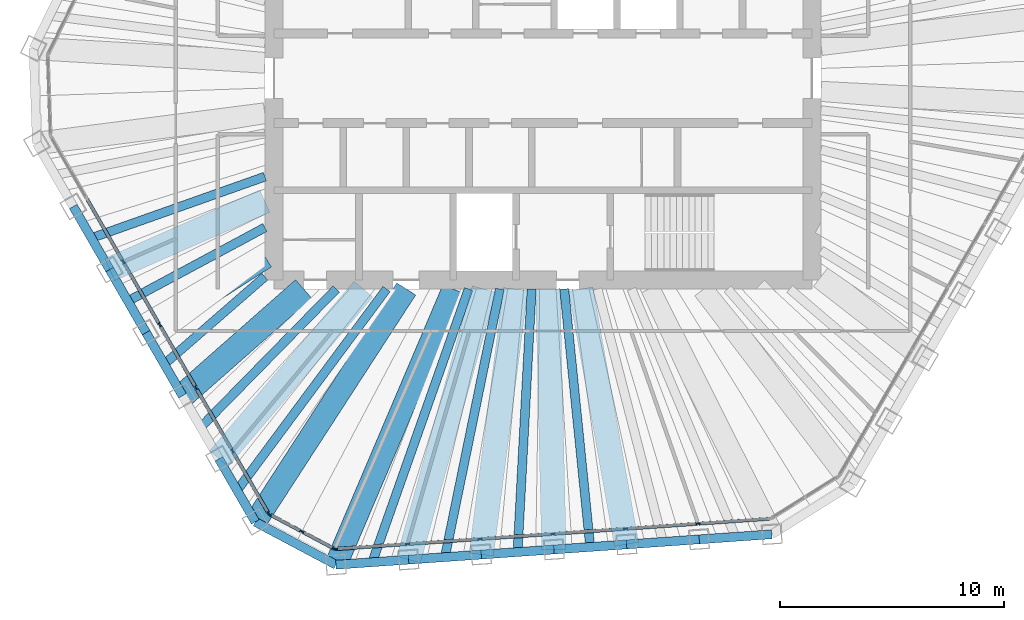
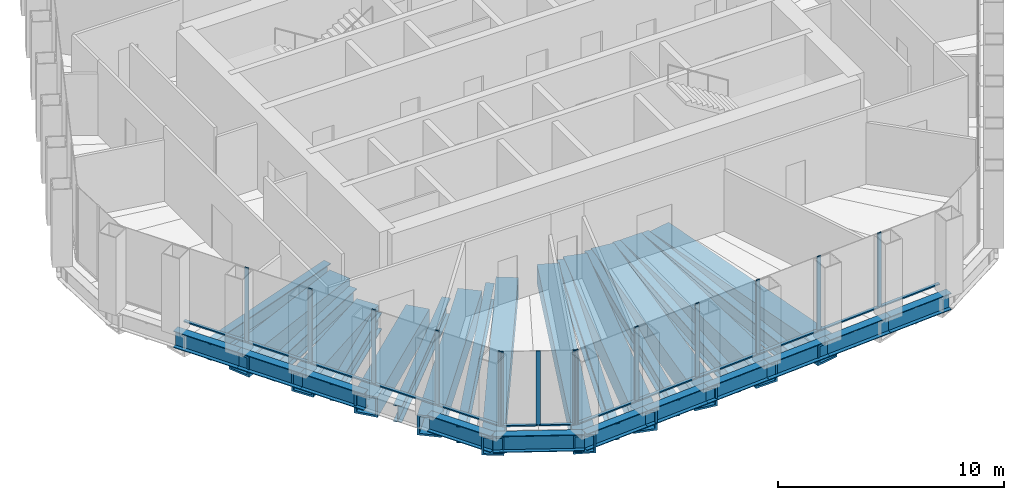
# One storey, part 2 of 14: 30 beams, 27 members, 3 elements without a shape of their own.
"""IFC4 building model written with IfcOpenShell, lengths in metres."""

from ifc_helpers import new_model, si_unit, direction, frame, origin, origin_2d, place, context, subcontext, project, spatial, rectangle, hollow_rectangle, i_section, extrude, material, material_profile, profile_set, type_object, element, aggregate, save


model = new_model("IFC4")

# Units and contexts
model_context = context("Model", 3, precision=1e-05, world=origin(), true_north=direction((0.0, 1.0)))
body_context = subcontext(model_context, "Body", "Model", "MODEL_VIEW")
ifc_project = project(units=[si_unit("LENGTHUNIT", "METRE"), si_unit("AREAUNIT", "SQUARE_METRE"), si_unit("VOLUMEUNIT", "CUBIC_METRE"), si_unit("PLANEANGLEUNIT", "RADIAN"), si_unit("MASSUNIT", "GRAM", prefix="KILO")], contexts=[model_context])

# Site, building, storey
site_placement = place(None, origin())
site = spatial("IfcSite", under=ifc_project, at=site_placement, CompositionType="ELEMENT")
building_placement = place(site_placement, origin())
building = spatial("IfcBuilding", under=site, at=building_placement, Name="Qingtian Harvest Tower", CompositionType="ELEMENT")
storey_placement = place(building_placement, frame((0.0, 0.0, 304.0)))
storey = spatial("IfcBuildingStorey", under=building, at=storey_placement, Name="L67", CompositionType="ELEMENT", Elevation=304.0)

# Beams
ifc_material_1 = material(Name="Steel SN490B", Category="steel")
ifc_material_profile_1 = material_profile(ifc_material_1, i_section(OverallWidth=0.39990234375, OverallDepth=0.89990234375, WebThickness=0.01904296875, FlangeThickness=0.035888671875, at=origin_2d()), Name="H900x400x19x36")
ifc_profile_set_1 = profile_set([ifc_material_profile_1], Name="Steel SN490B")
beam_type_1 = type_object("IfcBeamType", Name="Floor joist J4 H900x400x19x36", PredefinedType="JOIST", material=ifc_profile_set_1)
beam_1_placement = place(storey_placement, frame((2.109130859375, -20.90380859375, -0.6201171875), z_axis=(-0.100381738783, 0.994948996943, 0.0), x_axis=(-0.994948996943, -0.100381738783, 0.0)))
element("IfcBeam", 1, at=beam_1_placement, inside=storey, type_object=beam_type_1, Name="Floor joist J4 S2", PredefinedType="JOIST", context=body_context, shape_type="SweptSolid", body=[
    extrude(i_section(OverallWidth=0.39990234375, OverallDepth=0.89990234375, WebThickness=0.01904296875, FlangeThickness=0.035888671875, at=origin_2d()), origin(), (0.0, 0.0, 1.0), 11.562255859375),
])
beam_2_placement = place(storey_placement, frame((-1.130859375, -21.13037109375, -0.6201171875), z_axis=(0.053432551321, 0.998571460868, 0.0), x_axis=(-0.998571460868, 0.053432551321, 0.0)))
element("IfcBeam", 2, at=beam_2_placement, inside=storey, type_object=beam_type_1, Name="Floor joist J4 S3", PredefinedType="JOIST", context=body_context, shape_type="SweptSolid", body=[
    extrude(i_section(OverallWidth=0.39990234375, OverallDepth=0.89990234375, WebThickness=0.01904296875, FlangeThickness=0.035888671875, at=origin_2d()), origin(), (0.0, 0.0, 1.0), 11.747314453125),
])
beam_3_placement = place(storey_placement, frame((-4.37109375, -21.35693359375, -0.6201171875), z_axis=(0.200514926646, 0.97969064719, 0.0), x_axis=(-0.97969064719, 0.200514926646, 0.0)))
element("IfcBeam", 3, at=beam_3_placement, inside=storey, type_object=beam_type_1, Name="Floor joist J4 S4", PredefinedType="JOIST", context=body_context, shape_type="SweptSolid", body=[
    extrude(i_section(OverallWidth=0.39990234375, OverallDepth=0.89990234375, WebThickness=0.01904296875, FlangeThickness=0.035888671875, at=origin_2d()), origin(), (0.0, 0.0, 1.0), 12.204833984375),
])
beam_4_placement = place(storey_placement, frame((-7.611083984375, -21.58349609375, -0.6201171875), z_axis=(0.332565071267, 0.9430803112, 0.0), x_axis=(-0.9430803112, 0.332565071267, 0.0)))
element("IfcBeam", 4, at=beam_4_placement, inside=storey, type_object=beam_type_1, Name="Floor joist J4 S5", PredefinedType="JOIST", context=body_context, shape_type="SweptSolid", body=[
    extrude(i_section(OverallWidth=0.39990234375, OverallDepth=0.89990234375, WebThickness=0.01904296875, FlangeThickness=0.035888671875, at=origin_2d()), origin(), (0.0, 0.0, 1.0), 12.9189453125),
])
beam_5_placement = place(storey_placement, frame((-13.637451171875, -18.37939453125, -0.6201171875), z_axis=(0.595869637911, 0.803081175608, 0.0), x_axis=(-0.803081175608, 0.595869637911, 0.0)))
element("IfcBeam", 5, at=beam_5_placement, inside=storey, type_object=beam_type_1, Name="Floor joist J4 SW0", PredefinedType="JOIST", context=body_context, shape_type="SweptSolid", body=[
    extrude(i_section(OverallWidth=0.39990234375, OverallDepth=0.89990234375, WebThickness=0.01904296875, FlangeThickness=0.035888671875, at=origin_2d()), origin(), (0.0, 0.0, 1.0), 11.181396484375),
])
beam_6_placement = place(storey_placement, frame((-15.261474609375, -15.56640625, -0.6201171875), z_axis=(0.700075085428, 0.714069236673, 0.0), x_axis=(-0.714069236673, 0.700075085428, 0.0)))
element("IfcBeam", 6, at=beam_6_placement, inside=storey, type_object=beam_type_1, Name="Floor joist J4 SW1", PredefinedType="JOIST", context=body_context, shape_type="SweptSolid", body=[
    extrude(i_section(OverallWidth=0.39990234375, OverallDepth=0.89990234375, WebThickness=0.01904296875, FlangeThickness=0.035888671875, at=origin_2d()), origin(), (0.0, 0.0, 1.0), 8.6357421875),
])
beam_7_placement = place(storey_placement, frame((-16.885498046875, -12.753662109375, -0.6201171875), z_axis=(0.754351783553, 0.656470400437, 0.0), x_axis=(-0.656470400437, 0.754351783553, 0.0)))
element("IfcBeam", 7, at=beam_7_placement, inside=storey, type_object=beam_type_1, Name="Floor joist J4 SW2", PredefinedType="JOIST", context=body_context, shape_type="SweptSolid", body=[
    extrude(i_section(OverallWidth=0.39990234375, OverallDepth=0.89990234375, WebThickness=0.01904296875, FlangeThickness=0.035888671875, at=origin_2d()), origin(), (0.0, 0.0, 1.0), 5.9462890625),
])
beam_8_placement = place(storey_placement, frame((-18.509521484375, -9.940673828125, -0.6201171875), z_axis=(0.880999592364, 0.473117023847, 0.0), x_axis=(-0.473117023847, 0.880999592364, 0.0)))
element("IfcBeam", 8, at=beam_8_placement, inside=storey, type_object=beam_type_1, Name="Floor joist J4 SW3", PredefinedType="JOIST", context=body_context, shape_type="SweptSolid", body=[
    extrude(i_section(OverallWidth=0.39990234375, OverallDepth=0.89990234375, WebThickness=0.01904296875, FlangeThickness=0.035888671875, at=origin_2d()), origin(), (0.0, 0.0, 1.0), 6.934814453125),
])
beam_9_placement = place(storey_placement, frame((-20.133544921875, -7.1279296875, -0.6201171875), z_axis=(0.942664093486, 0.333743025174, 0.0), x_axis=(-0.333743025174, 0.942664093486, 0.0)))
element("IfcBeam", 9, at=beam_9_placement, inside=storey, type_object=beam_type_1, Name="Floor joist J4 SW4", PredefinedType="JOIST", context=body_context, shape_type="SweptSolid", body=[
    extrude(i_section(OverallWidth=0.39990234375, OverallDepth=0.89990234375, WebThickness=0.01904296875, FlangeThickness=0.035888671875, at=origin_2d()), origin(), (0.0, 0.0, 1.0), 8.2041015625),
])

# Curtain wall, members
ifc_material_2 = material(Name="Bronze-anodised aluminium curtain wall", Category="aluminium")
curtain_wall_type = type_object("IfcCurtainWallType", Name="Curtain wall CW5 upper office", PredefinedType="USERDEFINED", material=ifc_material_2)
curtain_wall_1_placement = place(storey_placement, origin())
curtain_wall_1 = element("IfcCurtainWall", 10, at=curtain_wall_1_placement, inside=storey, type_object=curtain_wall_type, Name="Curtain wall CW5 L67 S0-5", ObjectType="RECESSED CURTAIN WALL", PredefinedType="USERDEFINED")
ifc_material_3 = material(Name="Bronze-anodised aluminium mullion", Category="aluminium")
ifc_material_profile_2 = material_profile(ifc_material_3, rectangle(XDim=0.06494140625, YDim=0.199951171875, at=origin_2d()), Name="AL 65x200")
ifc_profile_set_2 = profile_set([ifc_material_profile_2], Name="Bronze-anodised aluminium mullion")
member_type_1 = type_object("IfcMemberType", Name="Mullion CWM 65x200", PredefinedType="MULLION", material=ifc_profile_set_2)
member_1_placement = place(storey_placement, frame((6.92041015625, -19.86572265625, 0.0), z_axis=(0.0, 0.0, 1.0), x_axis=(0.069756473744, -0.99756405026, 0.0)))
member_1 = element("IfcMember", 11, at=member_1_placement, type_object=member_type_1, Name="CW5 mullion 2", PredefinedType="MULLION", context=body_context, shape_type="SweptSolid", body=[
    extrude(rectangle(XDim=0.06494140625, YDim=0.199951171875, at=origin_2d()), origin(), (0.0, 0.0, 1.0), 4.030029296875),
])
member_2_placement = place(storey_placement, frame((3.680419921875, -20.09228515625, 0.0), z_axis=(0.0, 0.0, 1.0), x_axis=(0.069756473744, -0.99756405026, 0.0)))
member_2 = element("IfcMember", 12, at=member_2_placement, type_object=member_type_1, Name="CW5 mullion 3", PredefinedType="MULLION", context=body_context, shape_type="SweptSolid", body=[
    extrude(rectangle(XDim=0.06494140625, YDim=0.199951171875, at=origin_2d()), origin(), (0.0, 0.0, 1.0), 4.030029296875),
])
member_3_placement = place(storey_placement, frame((0.440185546875, -20.31884765625, 0.0), z_axis=(0.0, 0.0, 1.0), x_axis=(0.069756473744, -0.99756405026, 0.0)))
member_3 = element("IfcMember", 13, at=member_3_placement, type_object=member_type_1, Name="CW5 mullion 4", PredefinedType="MULLION", context=body_context, shape_type="SweptSolid", body=[
    extrude(rectangle(XDim=0.06494140625, YDim=0.199951171875, at=origin_2d()), origin(), (0.0, 0.0, 1.0), 4.030029296875),
])
member_4_placement = place(storey_placement, frame((-2.7998046875, -20.54541015625, 0.0), z_axis=(0.0, 0.0, 1.0), x_axis=(0.069756473744, -0.99756405026, 0.0)))
member_4 = element("IfcMember", 14, at=member_4_placement, type_object=member_type_1, Name="CW5 mullion 5", PredefinedType="MULLION", context=body_context, shape_type="SweptSolid", body=[
    extrude(rectangle(XDim=0.06494140625, YDim=0.199951171875, at=origin_2d()), origin(), (0.0, 0.0, 1.0), 4.030029296875),
])
member_5_placement = place(storey_placement, frame((-6.0400390625, -20.77197265625, 0.0), z_axis=(0.0, 0.0, 1.0), x_axis=(0.069756473744, -0.99756405026, 0.0)))
member_5 = element("IfcMember", 15, at=member_5_placement, type_object=member_type_1, Name="CW5 mullion 6", PredefinedType="MULLION", context=body_context, shape_type="SweptSolid", body=[
    extrude(rectangle(XDim=0.06494140625, YDim=0.199951171875, at=origin_2d()), origin(), (0.0, 0.0, 1.0), 4.030029296875),
])
member_6_placement = place(storey_placement, frame((-9.24755859375, -20.996337890625, 0.0), z_axis=(0.0, 0.0, 1.0), x_axis=(0.069756473744, -0.99756405026, 0.0)))
member_6 = element("IfcMember", 16, at=member_6_placement, type_object=member_type_1, Name="CW5 mullion 7", PredefinedType="MULLION", context=body_context, shape_type="SweptSolid", body=[
    extrude(rectangle(XDim=0.06494140625, YDim=0.199951171875, at=origin_2d()), origin(), (0.0, 0.0, 1.0), 4.030029296875),
])

curtain_wall_2_placement = place(storey_placement, origin())
curtain_wall_2 = element("IfcCurtainWall", 17, at=curtain_wall_2_placement, inside=storey, type_object=curtain_wall_type, Name="Curtain wall CW5 L67 SC", ObjectType="RECESSED CURTAIN WALL", PredefinedType="USERDEFINED")
member_7_placement = place(storey_placement, frame((-9.308837890625, -20.983154296875, 0.0), z_axis=(0.0, 0.0, 1.0), x_axis=(-0.469471562786, -0.882947592859, 0.0)))
member_7 = element("IfcMember", 18, at=member_7_placement, type_object=member_type_1, Name="CW5 mullion 1", PredefinedType="MULLION", context=body_context, shape_type="SweptSolid", body=[
    extrude(rectangle(XDim=0.06494140625, YDim=0.199951171875, at=origin_2d()), origin(), (0.0, 0.0, 1.0), 4.030029296875),
])
member_8_placement = place(storey_placement, frame((-10.749755859375, -20.217041015625, 0.0), z_axis=(0.0, 0.0, 1.0), x_axis=(-0.469471562786, -0.882947592859, 0.0)))
member_8 = element("IfcMember", 19, at=member_8_placement, type_object=member_type_1, Name="CW5 mullion 2", PredefinedType="MULLION", context=body_context, shape_type="SweptSolid", body=[
    extrude(rectangle(XDim=0.06494140625, YDim=0.199951171875, at=origin_2d()), origin(), (0.0, 0.0, 1.0), 4.030029296875),
])
member_9_placement = place(storey_placement, frame((-12.1904296875, -19.450927734375, 0.0), z_axis=(0.0, 0.0, 1.0), x_axis=(-0.469471562786, -0.882947592859, 0.0)))
member_9 = element("IfcMember", 20, at=member_9_placement, type_object=member_type_1, Name="CW5 mullion 3", PredefinedType="MULLION", context=body_context, shape_type="SweptSolid", body=[
    extrude(rectangle(XDim=0.06494140625, YDim=0.199951171875, at=origin_2d()), origin(), (0.0, 0.0, 1.0), 4.030029296875),
])

curtain_wall_3_placement = place(storey_placement, origin())
curtain_wall_3 = element("IfcCurtainWall", 21, at=curtain_wall_3_placement, inside=storey, type_object=curtain_wall_type, Name="Curtain wall CW5 L67 SW0-5", ObjectType="RECESSED CURTAIN WALL", PredefinedType="USERDEFINED")
member_10_placement = place(storey_placement, frame((-12.2353515625, -19.40771484375, 0.0), z_axis=(0.0, 0.0, 1.0), x_axis=(-0.866025403784, -0.5, 0.0)))
member_10 = element("IfcMember", 22, at=member_10_placement, type_object=member_type_1, Name="CW5 mullion 1", PredefinedType="MULLION", context=body_context, shape_type="SweptSolid", body=[
    extrude(rectangle(XDim=0.06494140625, YDim=0.199951171875, at=origin_2d()), origin(), (0.0, 0.0, 1.0), 4.030029296875),
])
member_11_placement = place(storey_placement, frame((-13.84326171875, -16.622802734375, 0.0), z_axis=(0.0, 0.0, 1.0), x_axis=(-0.866025403784, -0.5, 0.0)))
member_11 = element("IfcMember", 23, at=member_11_placement, type_object=member_type_1, Name="CW5 mullion 2", PredefinedType="MULLION", context=body_context, shape_type="SweptSolid", body=[
    extrude(rectangle(XDim=0.06494140625, YDim=0.199951171875, at=origin_2d()), origin(), (0.0, 0.0, 1.0), 4.030029296875),
])
member_12_placement = place(storey_placement, frame((-15.46728515625, -13.81005859375, 0.0), z_axis=(0.0, 0.0, 1.0), x_axis=(-0.866025403784, -0.5, 0.0)))
member_12 = element("IfcMember", 24, at=member_12_placement, type_object=member_type_1, Name="CW5 mullion 3", PredefinedType="MULLION", context=body_context, shape_type="SweptSolid", body=[
    extrude(rectangle(XDim=0.06494140625, YDim=0.199951171875, at=origin_2d()), origin(), (0.0, 0.0, 1.0), 4.030029296875),
])
member_13_placement = place(storey_placement, frame((-17.09130859375, -10.9970703125, 0.0), z_axis=(0.0, 0.0, 1.0), x_axis=(-0.866025403784, -0.5, 0.0)))
member_13 = element("IfcMember", 25, at=member_13_placement, type_object=member_type_1, Name="CW5 mullion 4", PredefinedType="MULLION", context=body_context, shape_type="SweptSolid", body=[
    extrude(rectangle(XDim=0.06494140625, YDim=0.199951171875, at=origin_2d()), origin(), (0.0, 0.0, 1.0), 4.030029296875),
])
member_14_placement = place(storey_placement, frame((-18.71533203125, -8.184326171875, 0.0), z_axis=(0.0, 0.0, 1.0), x_axis=(-0.866025403784, -0.5, 0.0)))
member_14 = element("IfcMember", 26, at=member_14_placement, type_object=member_type_1, Name="CW5 mullion 5", PredefinedType="MULLION", context=body_context, shape_type="SweptSolid", body=[
    extrude(rectangle(XDim=0.06494140625, YDim=0.199951171875, at=origin_2d()), origin(), (0.0, 0.0, 1.0), 4.030029296875),
])

# Beams
ifc_material_4 = material(Name="Steel SN490B", Category="steel")
ifc_material_profile_3 = material_profile(ifc_material_4, i_section(OverallWidth=0.39990234375, OverallDepth=0.89990234375, WebThickness=0.01904296875, FlangeThickness=0.035888671875, at=origin_2d()), Name="H900x400x19x36")
ifc_profile_set_3 = profile_set([ifc_material_profile_3], Name="Steel SN490B")
beam_type_2 = type_object("IfcBeamType", Name="Spandrel beam SB4 H900x400x19x36", PredefinedType="SPANDREL", material=ifc_profile_set_3)
beam_10_placement = place(storey_placement, frame((10.20947265625, -20.33740234375, -0.449951171875), z_axis=(-0.9975644093, -0.069751339047, 0.0), x_axis=(0.069751339047, -0.9975644093, 0.0)))
element("IfcBeam", 27, at=beam_10_placement, inside=storey, type_object=beam_type_2, Name="Spandrel SB4 S0", PredefinedType="SPANDREL", context=body_context, shape_type="SweptSolid", body=[
    extrude(i_section(OverallWidth=0.39990234375, OverallDepth=0.89990234375, WebThickness=0.01904296875, FlangeThickness=0.035888671875, at=origin_2d()), origin(), (0.0, 0.0, 1.0), 3.248046875),
])
beam_11_placement = place(storey_placement, frame((6.96923828125, -20.56396484375, -0.449951171875), z_axis=(-0.997564043571, -0.069756569394, 0.0), x_axis=(0.069756569394, -0.997564043571, 0.0)))
element("IfcBeam", 28, at=beam_11_placement, inside=storey, type_object=beam_type_2, Name="Spandrel SB4 S1", PredefinedType="SPANDREL", context=body_context, shape_type="SweptSolid", body=[
    extrude(i_section(OverallWidth=0.39990234375, OverallDepth=0.89990234375, WebThickness=0.01904296875, FlangeThickness=0.035888671875, at=origin_2d()), origin(), (0.0, 0.0, 1.0), 3.247802734375),
])
beam_12_placement = place(storey_placement, frame((3.729248046875, -20.79052734375, -0.449951171875), z_axis=(-0.9975644093, -0.069751339047, 0.0), x_axis=(0.069751339047, -0.9975644093, 0.0)))
element("IfcBeam", 29, at=beam_12_placement, inside=storey, type_object=beam_type_2, Name="Spandrel SB4 S2", PredefinedType="SPANDREL", context=body_context, shape_type="SweptSolid", body=[
    extrude(i_section(OverallWidth=0.39990234375, OverallDepth=0.89990234375, WebThickness=0.01904296875, FlangeThickness=0.035888671875, at=origin_2d()), origin(), (0.0, 0.0, 1.0), 3.248046875),
])
beam_13_placement = place(storey_placement, frame((0.489013671875, -21.01708984375, -0.449951171875), z_axis=(-0.997564043571, -0.069756569394, 0.0), x_axis=(0.069756569394, -0.997564043571, 0.0)))
element("IfcBeam", 30, at=beam_13_placement, inside=storey, type_object=beam_type_2, Name="Spandrel SB4 S3", PredefinedType="SPANDREL", context=body_context, shape_type="SweptSolid", body=[
    extrude(i_section(OverallWidth=0.39990234375, OverallDepth=0.89990234375, WebThickness=0.01904296875, FlangeThickness=0.035888671875, at=origin_2d()), origin(), (0.0, 0.0, 1.0), 3.247802734375),
])
beam_14_placement = place(storey_placement, frame((-2.7509765625, -21.24365234375, -0.449951171875), z_axis=(-0.9975644093, -0.069751339047, 0.0), x_axis=(0.069751339047, -0.9975644093, 0.0)))
element("IfcBeam", 31, at=beam_14_placement, inside=storey, type_object=beam_type_2, Name="Spandrel SB4 S4", PredefinedType="SPANDREL", context=body_context, shape_type="SweptSolid", body=[
    extrude(i_section(OverallWidth=0.39990234375, OverallDepth=0.89990234375, WebThickness=0.01904296875, FlangeThickness=0.035888671875, at=origin_2d()), origin(), (0.0, 0.0, 1.0), 3.248046875),
])
beam_15_placement = place(storey_placement, frame((-5.9912109375, -21.47021484375, -0.449951171875), z_axis=(-0.997564043571, -0.069756569394, 0.0), x_axis=(0.069756569394, -0.997564043571, 0.0)))
element("IfcBeam", 32, at=beam_15_placement, inside=storey, type_object=beam_type_2, Name="Spandrel SB4 S5", PredefinedType="SPANDREL", context=body_context, shape_type="SweptSolid", body=[
    extrude(i_section(OverallWidth=0.39990234375, OverallDepth=0.89990234375, WebThickness=0.01904296875, FlangeThickness=0.035888671875, at=origin_2d()), origin(), (0.0, 0.0, 1.0), 3.247802734375),
])
beam_16_placement = place(storey_placement, frame((-9.231201171875, -21.69677734375, -0.449951171875), z_axis=(-0.882943273379, 0.469479686456, 0.0), x_axis=(-0.469479686456, -0.882943273379, 0.0)))
element("IfcBeam", 33, at=beam_16_placement, inside=storey, type_object=beam_type_2, Name="Spandrel SB4 SC", PredefinedType="SPANDREL", context=body_context, shape_type="SweptSolid", body=[
    extrude(i_section(OverallWidth=0.39990234375, OverallDepth=0.89990234375, WebThickness=0.01904296875, FlangeThickness=0.035888671875, at=origin_2d()), origin(), (0.0, 0.0, 1.0), 4.07080078125),
])
for number, where, z_axis, x_axis, name in (
    (34, (-12.825439453125, -19.78564453125, -0.449951171875), (-0.500019593356, 0.866014091259, 0.0), (-0.866014091259, -0.500019593356, 0.0), "Spandrel SB4 SW0"),
    (35, (-16.073486328125, -14.159912109375, -0.449951171875), (-0.500019593356, 0.866014091259, 0.0), (-0.866014091259, -0.500019593356, 0.0), "Spandrel SB4 SW2"),
):
    element("IfcBeam", number, at=place(storey_placement, frame(where, z_axis=z_axis, x_axis=x_axis)), inside=storey, type_object=beam_type_2, Name=name, PredefinedType="SPANDREL", context=body_context, shape_type="SweptSolid", body=[
        extrude(i_section(OverallWidth=0.39990234375, OverallDepth=0.89990234375, WebThickness=0.01904296875, FlangeThickness=0.035888671875, at=origin_2d()), origin(), (0.0, 0.0, 1.0), 3.247802734375),
    ])
beam_17_placement = place(storey_placement, frame((-17.697509765625, -11.34716796875, -0.449951171875), z_axis=(-0.499987045439, 0.866032882975, 0.0), x_axis=(-0.866032882975, -0.499987045439, 0.0)))
element("IfcBeam", 36, at=beam_17_placement, inside=storey, type_object=beam_type_2, Name="Spandrel SB4 SW3", PredefinedType="SPANDREL", context=body_context, shape_type="SweptSolid", body=[
    extrude(i_section(OverallWidth=0.39990234375, OverallDepth=0.89990234375, WebThickness=0.01904296875, FlangeThickness=0.035888671875, at=origin_2d()), origin(), (0.0, 0.0, 1.0), 3.248046875),
])
beam_18_placement = place(storey_placement, frame((-19.321533203125, -8.5341796875, -0.449951171875), z_axis=(-0.500019593356, 0.866014091259, 0.0), x_axis=(-0.866014091259, -0.500019593356, 0.0)))
element("IfcBeam", 37, at=beam_18_placement, inside=storey, type_object=beam_type_2, Name="Spandrel SB4 SW4", PredefinedType="SPANDREL", context=body_context, shape_type="SweptSolid", body=[
    extrude(i_section(OverallWidth=0.39990234375, OverallDepth=0.89990234375, WebThickness=0.01904296875, FlangeThickness=0.035888671875, at=origin_2d()), origin(), (0.0, 0.0, 1.0), 3.247802734375),
])
ifc_material_5 = material(Name="Steel SM570MC", Category="steel")
ifc_material_profile_4 = material_profile(ifc_material_5, hollow_rectangle(XDim=1.0, YDim=1.0, WallThickness=0.080078125, at=origin_2d()), Name="BOX1000x1000x80")
ifc_profile_set_4 = profile_set([ifc_material_profile_4], Name="Steel SM570MC")
beam_type_3 = type_object("IfcBeamType", Name="Transfer corner beam FB11 BOX1000x1000x80", PredefinedType="BEAM", material=ifc_profile_set_4)
beam_19_placement = place(storey_placement, frame((-9.231201171875, -21.69677734375, -0.669921875), z_axis=(0.391505797179, 0.920175641264, 0.0), x_axis=(-0.920175641264, 0.391505797179, 0.0)))
element("IfcBeam", 38, at=beam_19_placement, inside=storey, type_object=beam_type_3, Name="Floor beam FB11 S6", PredefinedType="BEAM", context=body_context, shape_type="SweptSolid", body=[
    extrude(hollow_rectangle(XDim=1.0, YDim=1.0, WallThickness=0.080078125, at=origin_2d()), origin(), (0.0, 0.0, 1.0), 13.363525390625),
])
beam_20_placement = place(storey_placement, frame((-12.825439453125, -19.78564453125, -0.669921875), z_axis=(0.543934037964, 0.839127977334, 0.0), x_axis=(-0.839127977334, 0.543934037964, 0.0)))
element("IfcBeam", 39, at=beam_20_placement, inside=storey, type_object=beam_type_3, Name="Floor beam FB11 SW0", PredefinedType="BEAM", context=body_context, shape_type="SweptSolid", body=[
    extrude(hollow_rectangle(XDim=1.0, YDim=1.0, WallThickness=0.080078125, at=origin_2d()), origin(), (0.0, 0.0, 1.0), 12.376708984375),
])
ifc_material_6 = material(Name="Steel SM570MC", Category="steel")
ifc_material_profile_5 = material_profile(ifc_material_6, hollow_rectangle(XDim=1.10009765625, YDim=1.10009765625, WallThickness=0.10009765625, at=origin_2d()), Name="BOX1100x1100x100")
ifc_profile_set_5 = profile_set([ifc_material_profile_5], Name="Steel SM570MC")
beam_type_4 = type_object("IfcBeamType", Name="Transfer floor beam FB9 BOX1100x1100x100", PredefinedType="BEAM", material=ifc_profile_set_5)
beam_21_placement = place(storey_placement, frame((3.729248046875, -20.79052734375, -0.719970703125), z_axis=(-0.176558725829, 0.984290107811, 0.0), x_axis=(-0.984290107811, -0.176558725829, 0.0)))
element("IfcBeam", 40, at=beam_21_placement, inside=storey, type_object=beam_type_4, Name="Floor beam FB9 S2", PredefinedType="BEAM", context=body_context, shape_type="SweptSolid", body=[
    extrude(hollow_rectangle(XDim=1.10009765625, YDim=1.10009765625, WallThickness=0.10009765625, at=origin_2d()), origin(), (0.0, 0.0, 1.0), 11.572509765625),
])
beam_22_placement = place(storey_placement, frame((0.489013671875, -21.01708984375, -0.719970703125), z_axis=(-0.023257829451, 0.9997295001, 0.0), x_axis=(-0.9997295001, -0.023257829451, 0.0)))
element("IfcBeam", 41, at=beam_22_placement, inside=storey, type_object=beam_type_4, Name="Floor beam FB9 S3", PredefinedType="BEAM", context=body_context, shape_type="SweptSolid", body=[
    extrude(hollow_rectangle(XDim=1.10009765625, YDim=1.10009765625, WallThickness=0.10009765625, at=origin_2d()), origin(), (0.0, 0.0, 1.0), 11.620361328125),
])
beam_23_placement = place(storey_placement, frame((-2.7509765625, -21.24365234375, -0.719970703125), z_axis=(0.128421483878, 0.991719679385, 0.0), x_axis=(-0.991719679385, 0.128421483878, 0.0)))
element("IfcBeam", 42, at=beam_23_placement, inside=storey, type_object=beam_type_4, Name="Floor beam FB9 S4", PredefinedType="BEAM", context=body_context, shape_type="SweptSolid", body=[
    extrude(hollow_rectangle(XDim=1.10009765625, YDim=1.10009765625, WallThickness=0.10009765625, at=origin_2d()), origin(), (0.0, 0.0, 1.0), 11.942626953125),
])
beam_24_placement = place(storey_placement, frame((-5.9912109375, -21.47021484375, -0.719970703125), z_axis=(0.268777110088, 0.963202400896, 0.0), x_axis=(-0.963202400896, 0.268777110088, 0.0)))
element("IfcBeam", 43, at=beam_24_placement, inside=storey, type_object=beam_type_4, Name="Floor beam FB9 S5", PredefinedType="BEAM", context=body_context, shape_type="SweptSolid", body=[
    extrude(hollow_rectangle(XDim=1.10009765625, YDim=1.10009765625, WallThickness=0.10009765625, at=origin_2d()), origin(), (0.0, 0.0, 1.0), 12.531494140625),
])
beam_25_placement = place(storey_placement, frame((-14.449462890625, -16.972900390625, -0.719970703125), z_axis=(0.648230392117, 0.761444258457, 0.0), x_axis=(-0.761444258457, 0.648230392117, 0.0)))
element("IfcBeam", 44, at=beam_25_placement, inside=storey, type_object=beam_type_4, Name="Floor beam FB9 SW1", PredefinedType="BEAM", context=body_context, shape_type="SweptSolid", body=[
    extrude(hollow_rectangle(XDim=1.10009765625, YDim=1.10009765625, WallThickness=0.10009765625, at=origin_2d()), origin(), (0.0, 0.0, 1.0), 9.945556640625),
])
beam_26_placement = place(storey_placement, frame((-16.073486328125, -14.159912109375, -0.719970703125), z_axis=(0.750362998803, 0.661025997997, 0.0), x_axis=(-0.661025997997, 0.750362998803, 0.0)))
element("IfcBeam", 45, at=beam_26_placement, inside=storey, type_object=beam_type_4, Name="Floor beam FB9 SW2", PredefinedType="BEAM", context=body_context, shape_type="SweptSolid", body=[
    extrude(hollow_rectangle(XDim=1.10009765625, YDim=1.10009765625, WallThickness=0.10009765625, at=origin_2d()), origin(), (0.0, 0.0, 1.0), 7.200927734375),
])
beam_27_placement = place(storey_placement, frame((-17.697509765625, -11.34716796875, -0.719970703125), z_axis=(0.841819476537, 0.539759176785, 0.0), x_axis=(-0.539759176785, 0.841819476537, 0.0)))
element("IfcBeam", 46, at=beam_27_placement, inside=storey, type_object=beam_type_4, Name="Floor beam FB9 SW3", PredefinedType="BEAM", context=body_context, shape_type="SweptSolid", body=[
    extrude(hollow_rectangle(XDim=1.10009765625, YDim=1.10009765625, WallThickness=0.10009765625, at=origin_2d()), origin(), (0.0, 0.0, 1.0), 6.29296875),
])
beam_28_placement = place(storey_placement, frame((-19.321533203125, -8.5341796875, -0.719970703125), z_axis=(0.914748451897, 0.404023848, 0.0), x_axis=(-0.404023848, 0.914748451897, 0.0)))
element("IfcBeam", 47, at=beam_28_placement, inside=storey, type_object=beam_type_4, Name="Floor beam FB9 SW4", PredefinedType="BEAM", context=body_context, shape_type="SweptSolid", body=[
    extrude(hollow_rectangle(XDim=1.10009765625, YDim=1.10009765625, WallThickness=0.10009765625, at=origin_2d()), origin(), (0.0, 0.0, 1.0), 7.566650390625),
])

# Member
ifc_material_7 = material(Name="Bronze-anodised aluminium transom", Category="aluminium")
ifc_material_profile_6 = material_profile(ifc_material_7, rectangle(XDim=0.14990234375, YDim=0.06494140625, at=origin_2d()), Name="AL 65x150")
ifc_profile_set_6 = profile_set([ifc_material_profile_6], Name="Bronze-anodised aluminium transom")
member_type_2 = type_object("IfcMemberType", Name="Transom CWT 65x150", PredefinedType="USERDEFINED", material=ifc_profile_set_6)
member_15_placement = place(storey_placement, frame((10.095703125, -19.6435546875, 0.032470703125), z_axis=(-0.997564955301, -0.069743529851, 0.0), x_axis=(0.069743529851, -0.997564955301, 0.0)))
member_15 = element("IfcMember", 48, at=member_15_placement, type_object=member_type_2, Name="CW5 transom 1.1", ObjectType="TRANSOM", PredefinedType="USERDEFINED", context=body_context, shape_type="SweptSolid", body=[
    extrude(rectangle(XDim=0.14990234375, YDim=0.06494140625, at=origin_2d()), origin(), (0.0, 0.0, 1.0), 3.150390625),
])

member_16_placement = place(storey_placement, frame((6.88818359375, -19.867919921875, 0.032470703125), z_axis=(-0.997566548107, -0.069720743674, 0.0), x_axis=(0.069720743674, -0.997566548107, 0.0)))
member_16 = element("IfcMember", 49, at=member_16_placement, type_object=member_type_2, Name="CW5 transom 2.1", ObjectType="TRANSOM", PredefinedType="USERDEFINED", context=body_context, shape_type="SweptSolid", body=[
    extrude(rectangle(XDim=0.14990234375, YDim=0.06494140625, at=origin_2d()), origin(), (0.0, 0.0, 1.0), 3.18310546875),
])

member_17_placement = place(storey_placement, frame((3.64794921875, -20.094482421875, 0.032470703125), z_axis=(-0.997566548107, -0.069720743674, 0.0), x_axis=(0.069720743674, -0.997566548107, 0.0)))
member_17 = element("IfcMember", 50, at=member_17_placement, type_object=member_type_2, Name="CW5 transom 3.1", ObjectType="TRANSOM", PredefinedType="USERDEFINED", context=body_context, shape_type="SweptSolid", body=[
    extrude(rectangle(XDim=0.14990234375, YDim=0.06494140625, at=origin_2d()), origin(), (0.0, 0.0, 1.0), 3.18310546875),
])

member_18_placement = place(storey_placement, frame((0.407958984375, -20.321044921875, 0.032470703125), z_axis=(-0.997566548107, -0.069720743674, 0.0), x_axis=(0.069720743674, -0.997566548107, 0.0)))
member_18 = element("IfcMember", 51, at=member_18_placement, type_object=member_type_2, Name="CW5 transom 4.1", ObjectType="TRANSOM", PredefinedType="USERDEFINED", context=body_context, shape_type="SweptSolid", body=[
    extrude(rectangle(XDim=0.14990234375, YDim=0.06494140625, at=origin_2d()), origin(), (0.0, 0.0, 1.0), 3.18310546875),
])

member_19_placement = place(storey_placement, frame((-2.832275390625, -20.547607421875, 0.032470703125), z_axis=(-0.997561210613, -0.06979707071, 0.0), x_axis=(0.06979707071, -0.997561210613, 0.0)))
member_19 = element("IfcMember", 52, at=member_19_placement, type_object=member_type_2, Name="CW5 transom 5.1", ObjectType="TRANSOM", PredefinedType="USERDEFINED", context=body_context, shape_type="SweptSolid", body=[
    extrude(rectangle(XDim=0.14990234375, YDim=0.06494140625, at=origin_2d()), origin(), (0.0, 0.0, 1.0), 3.18310546875),
])

member_20_placement = place(storey_placement, frame((-6.072509765625, -20.774169921875, 0.032470703125), z_axis=(-0.997564955301, -0.069743529851, 0.0), x_axis=(0.069743529851, -0.997564955301, 0.0)))
member_20 = element("IfcMember", 53, at=member_20_placement, type_object=member_type_2, Name="CW5 transom 6.1", ObjectType="TRANSOM", PredefinedType="USERDEFINED", context=body_context, shape_type="SweptSolid", body=[
    extrude(rectangle(XDim=0.14990234375, YDim=0.06494140625, at=origin_2d()), origin(), (0.0, 0.0, 1.0), 3.150390625),
])

aggregate(curtain_wall_1, [member_1, member_2, member_3, member_4, member_5, member_6, member_15, member_16, member_17, member_18, member_19, member_20])

member_21_placement = place(storey_placement, frame((-9.33740234375, -20.968017578125, 0.032470703125), z_axis=(-0.882960338349, 0.46944759122, 0.0), x_axis=(-0.46944759122, -0.882960338349, 0.0)))
member_21 = element("IfcMember", 54, at=member_21_placement, type_object=member_type_2, Name="CW5 transom 1.1", ObjectType="TRANSOM", PredefinedType="USERDEFINED", context=body_context, shape_type="SweptSolid", body=[
    extrude(rectangle(XDim=0.14990234375, YDim=0.06494140625, at=origin_2d()), origin(), (0.0, 0.0, 1.0), 1.56689453125),
])

member_22_placement = place(storey_placement, frame((-10.7783203125, -20.201904296875, 0.032470703125), z_axis=(-0.882960338349, 0.46944759122, 0.0), x_axis=(-0.46944759122, -0.882960338349, 0.0)))
member_22 = element("IfcMember", 55, at=member_22_placement, type_object=member_type_2, Name="CW5 transom 2.1", ObjectType="TRANSOM", PredefinedType="USERDEFINED", context=body_context, shape_type="SweptSolid", body=[
    extrude(rectangle(XDim=0.14990234375, YDim=0.06494140625, at=origin_2d()), origin(), (0.0, 0.0, 1.0), 1.56689453125),
])

aggregate(curtain_wall_2, [member_7, member_8, member_9, member_21, member_22])

member_23_placement = place(storey_placement, frame((-12.251708984375, -19.37939453125, 0.032470703125), z_axis=(-0.50000643655, 0.866021687608, 0.0), x_axis=(-0.866021687608, -0.50000643655, 0.0)))
member_23 = element("IfcMember", 56, at=member_23_placement, type_object=member_type_2, Name="CW5 transom 1.1", ObjectType="TRANSOM", PredefinedType="USERDEFINED", context=body_context, shape_type="SweptSolid", body=[
    extrude(rectangle(XDim=0.14990234375, YDim=0.06494140625, at=origin_2d()), origin(), (0.0, 0.0, 1.0), 3.150390625),
])

member_24_placement = place(storey_placement, frame((-13.859375, -16.5947265625, 0.032470703125), z_axis=(-0.5000079448, 0.866020816803, 0.0), x_axis=(-0.866020816803, -0.5000079448, 0.0)))
member_24 = element("IfcMember", 57, at=member_24_placement, type_object=member_type_2, Name="CW5 transom 2.1", ObjectType="TRANSOM", PredefinedType="USERDEFINED", context=body_context, shape_type="SweptSolid", body=[
    extrude(rectangle(XDim=0.14990234375, YDim=0.06494140625, at=origin_2d()), origin(), (0.0, 0.0, 1.0), 3.18310546875),
])

member_25_placement = place(storey_placement, frame((-15.4833984375, -13.78173828125, 0.032470703125), z_axis=(-0.500041159108, 0.866001639258, 0.0), x_axis=(-0.866001639258, -0.500041159108, 0.0)))
member_25 = element("IfcMember", 58, at=member_25_placement, type_object=member_type_2, Name="CW5 transom 3.1", ObjectType="TRANSOM", PredefinedType="USERDEFINED", context=body_context, shape_type="SweptSolid", body=[
    extrude(rectangle(XDim=0.14990234375, YDim=0.06494140625, at=origin_2d()), origin(), (0.0, 0.0, 1.0), 3.182861328125),
])

member_26_placement = place(storey_placement, frame((-17.107421875, -10.968994140625, 0.032470703125), z_axis=(-0.5000079448, 0.866020816803, 0.0), x_axis=(-0.866020816803, -0.5000079448, 0.0)))
member_26 = element("IfcMember", 59, at=member_26_placement, type_object=member_type_2, Name="CW5 transom 4.1", ObjectType="TRANSOM", PredefinedType="USERDEFINED", context=body_context, shape_type="SweptSolid", body=[
    extrude(rectangle(XDim=0.14990234375, YDim=0.06494140625, at=origin_2d()), origin(), (0.0, 0.0, 1.0), 3.18310546875),
])

member_27_placement = place(storey_placement, frame((-18.7314453125, -8.156005859375, 0.032470703125), z_axis=(-0.5000079448, 0.866020816803, 0.0), x_axis=(-0.866020816803, -0.5000079448, 0.0)))
member_27 = element("IfcMember", 60, at=member_27_placement, type_object=member_type_2, Name="CW5 transom 5.1", ObjectType="TRANSOM", PredefinedType="USERDEFINED", context=body_context, shape_type="SweptSolid", body=[
    extrude(rectangle(XDim=0.14990234375, YDim=0.06494140625, at=origin_2d()), origin(), (0.0, 0.0, 1.0), 3.18310546875),
])

aggregate(curtain_wall_3, [member_10, member_11, member_12, member_13, member_14, member_23, member_24, member_25, member_26, member_27])

save(model, "model.ifc")
